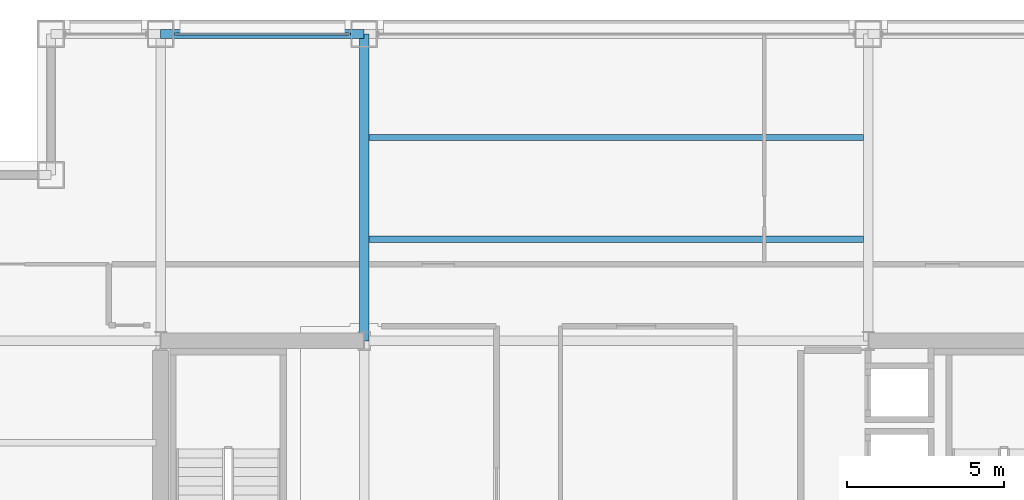
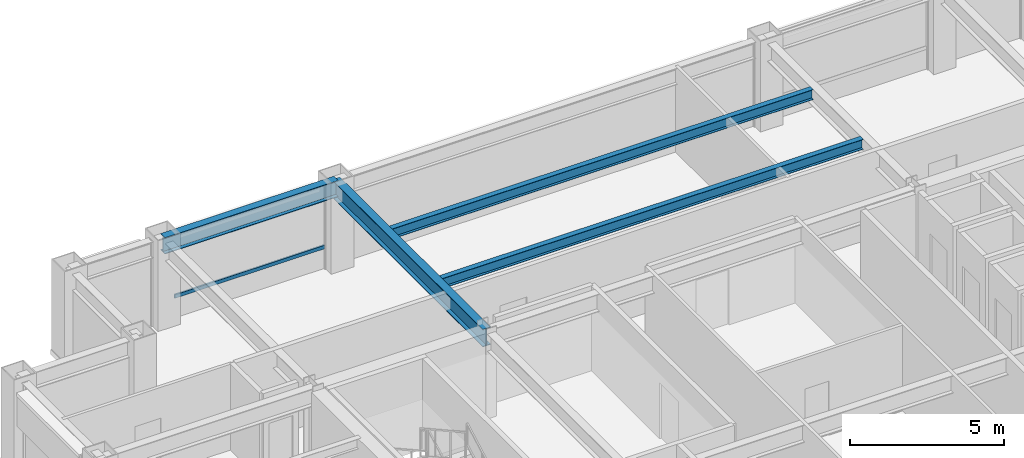
# One storey, part 18 of 29: 4 beams, 1 member, 1 element without a shape of its own.
"""IFC4 building model written with IfcOpenShell, lengths in metres."""

import ifcopenshell
import ifcopenshell.guid

model = None  # the IFC model being written
_history = None  # IfcOwnerHistory: only IFC2X3 demands one
_inside = {}  # id of a spatial element -> (the spatial element, [elements in it])
_under = {}  # id of a project, library or spatial element -> (it, [spatial elements below it])
_declared = {}  # id of a project -> (the project, [libraries it declares])
_typed = {}  # id of a type object -> (the type object, [elements of that type])
_made_of = {}  # id of a material, layer set ... -> (it, [elements and type objects made of it])


def new_model(schema):
    """Start an empty IFC model of exactly this schema.

    Asked for "IFC4X3", IfcOpenShell would pick the latest addendum, in which some entities
    have other attributes; the version numbers below select the first issue.
    IFC2X3 requires an IfcOwnerHistory on every rooted entity: one is made here for all.
    """
    global model, _history
    if schema == "IFC4X3":
        model = ifcopenshell.file(schema_version=(4, 3, 0, 0))
    else:
        model = ifcopenshell.file(schema=schema)
    _inside.clear()
    _under.clear()
    _declared.clear()
    _typed.clear()
    _made_of.clear()
    _history = None
    if model.schema == "IFC2X3":
        org = make("IfcOrganization", Name="unknown")
        user = make(
            "IfcPersonAndOrganization",
            ThePerson=make("IfcPerson", FamilyName="unknown"),
            TheOrganization=org,
        )
        app = make(
            "IfcApplication",
            ApplicationDeveloper=org,
            Version="unknown",
            ApplicationFullName="unknown",
            ApplicationIdentifier="unknown",
        )
        _history = make(
            "IfcOwnerHistory",
            OwningUser=user,
            OwningApplication=app,
            ChangeAction="ADDED",
            CreationDate=0,
        )
    return model


def make(cls, **values):
    """One entity of the class cls with the attributes given. An attribute that is None is left unset."""
    return model.create_entity(
        cls, **{name: value for name, value in values.items() if value is not None}
    )


def rooted(cls, **values):
    """An entity with a GlobalId (a new one), such as an element, a storey or a relation."""
    return make(cls, GlobalId=ifcopenshell.guid.new(), OwnerHistory=_history, **values)


def si_unit(unit_type, name, prefix=None):
    """IfcSIUnit, for example si_unit("LENGTHUNIT", "METRE", prefix="MILLI")."""
    return make("IfcSIUnit", UnitType=unit_type, Prefix=prefix, Name=name)


def assignment(units):
    """IfcUnitAssignment: the units of a project."""
    return None if units is None else make("IfcUnitAssignment", Units=units)


def point(xyz):
    """IfcCartesianPoint."""
    return None if xyz is None else make("IfcCartesianPoint", Coordinates=xyz)


def direction(xyz):
    """IfcDirection."""
    return None if xyz is None else make("IfcDirection", DirectionRatios=xyz)


def frame(location, z_axis=None, x_axis=None):
    """IfcAxis2Placement3D, a coordinate frame: its origin and axes. An axis left out is left unset."""
    return make(
        "IfcAxis2Placement3D",
        Location=point(location),
        Axis=direction(z_axis),
        RefDirection=direction(x_axis),
    )


def frame_2d(location, x_axis=None):
    """IfcAxis2Placement2D, a coordinate frame in the plane: its origin and x axis."""
    return make(
        "IfcAxis2Placement2D", Location=point(location), RefDirection=direction(x_axis)
    )


def origin():
    """The frame at (0, 0, 0) with its axes left unset."""
    return frame((0.0, 0.0, 0.0))


def origin_2d():
    """The frame at (0, 0) in the plane with its x axis left unset."""
    return frame_2d((0.0, 0.0))


def place(relative_to, where):
    """IfcLocalPlacement: puts the frame where relative to a parent placement (None: the world)."""
    return make(
        "IfcLocalPlacement", PlacementRelTo=relative_to, RelativePlacement=where
    )


def context(
    kind, dimensions, precision=None, world=None, true_north=None, identifier=None
):
    """IfcGeometricRepresentationContext, for example the 3D "Model" context."""
    return make(
        "IfcGeometricRepresentationContext",
        ContextIdentifier=identifier,
        ContextType=kind,
        CoordinateSpaceDimension=dimensions,
        Precision=precision,
        WorldCoordinateSystem=world,
        TrueNorth=true_north,
    )


def subcontext(parent, identifier, kind, view, scale=None):
    """IfcGeometricRepresentationSubContext, for example "Body" below "Model"."""
    return make(
        "IfcGeometricRepresentationSubContext",
        ContextIdentifier=identifier,
        ContextType=kind,
        ParentContext=parent,
        TargetScale=scale,
        TargetView=view,
    )


def project(units=None, contexts=None):
    """IfcProject with its units and contexts."""
    return rooted(
        "IfcProject",
        Name="project",
        RepresentationContexts=contexts,
        UnitsInContext=assignment(units),
    )


def spatial(cls, under=None, at=None, **own):
    """A site, building, storey or space (cls), placed at a placement, below another one or the project."""
    s = rooted(cls, ObjectPlacement=at, **own)
    if under is not None:
        _under.setdefault(under.id(), (under, []))[1].append(s)
    return s


def profile(cls, at=None, kind="AREA", **sizes):
    """A parametric profile (cls). Its sizes go by their IFC names, for example OverallWidth=200.0."""
    return make(cls, ProfileType=kind, Position=at, **sizes)


def hollow_rectangle(**sizes):
    """IfcRectangleHollowProfileDef."""
    return profile("IfcRectangleHollowProfileDef", **sizes)


def i_section(**sizes):
    """IfcIShapeProfileDef."""
    return profile("IfcIShapeProfileDef", **sizes)


def extrude(swept, where, along, depth):
    """IfcExtrudedAreaSolid: the profile swept, set in the frame where, extruded along a direction by depth."""
    return make(
        "IfcExtrudedAreaSolid",
        SweptArea=swept,
        Position=where,
        ExtrudedDirection=direction(along),
        Depth=depth,
    )


def shape(context_of_items, identifier, shape_type, items):
    """IfcShapeRepresentation: the items that make up one representation, for example the "Body"."""
    return make(
        "IfcShapeRepresentation",
        ContextOfItems=context_of_items,
        RepresentationIdentifier=identifier,
        RepresentationType=shape_type,
        Items=items,
    )


def material(Name=None, Category=None):
    """IfcMaterial."""
    return make("IfcMaterial", Name=Name, Category=Category)


def layer(
    of_material, thickness, ventilated=None, Name=None, Category=None, Priority=None
):
    """IfcMaterialLayer: one layer of a wall or slab, of a material (None: an air gap)."""
    return make(
        "IfcMaterialLayer",
        Material=of_material,
        LayerThickness=thickness,
        IsVentilated=ventilated,
        Name=Name,
        Category=Category,
        Priority=Priority,
    )


def layer_set(layers, Name=None):
    """IfcMaterialLayerSet."""
    return make("IfcMaterialLayerSet", MaterialLayers=layers, LayerSetName=Name)


def material_profile(
    of_material, cross_section, Name=None, Category=None, Priority=None
):
    """IfcMaterialProfile: a cross section and its material."""
    return make(
        "IfcMaterialProfile",
        Name=Name,
        Material=of_material,
        Profile=cross_section,
        Priority=Priority,
        Category=Category,
    )


def profile_set(profiles, Name=None, composite=None):
    """IfcMaterialProfileSet."""
    return make(
        "IfcMaterialProfileSet",
        Name=Name,
        MaterialProfiles=profiles,
        CompositeProfile=composite,
    )


def made_of(thing, what):
    """Note that an element or type object is made of a material, layer set ...; save() writes the relation."""
    if what is not None:
        _made_of.setdefault(what.id(), (what, []))[1].append(thing)
    return thing


def type_object(cls, material=None, **own):
    """A type object (cls), such as IfcWallType, which elements share."""
    return made_of(rooted(cls, **own), material)


def element(
    cls,
    number,
    at=None,
    inside=None,
    cuts=None,
    type_object=None,
    material=None,
    context=None,
    identifier="Body",
    shape_type=None,
    held_by="IfcProductDefinitionShape",
    body=None,
    shapes=None,
    **own,
):
    """One element of the class cls, such as IfcWall. Its Tag is "e" and its number.

    at: its placement. inside: the storey or other place that contains it. cuts: it is an
    opening in that element (IfcRelVoidsElement). A single representation is given by context,
    identifier, shape_type and body (its items); several are given by shapes. held_by: the class
    of the entity that holds the representations. save() writes the other relations.
    """
    e = rooted(cls, Tag="e%d" % number, ObjectPlacement=at, **own)
    if body is not None:
        shapes = [shape(context, identifier, shape_type, body)]
    if shapes is not None:
        e.Representation = make(held_by, Representations=shapes)
    if inside is not None:
        _inside.setdefault(inside.id(), (inside, []))[1].append(e)
    if cuts is not None:
        rooted(
            "IfcRelVoidsElement", RelatingBuildingElement=cuts, RelatedOpeningElement=e
        )
    if type_object is not None:
        _typed.setdefault(type_object.id(), (type_object, []))[1].append(e)
    return made_of(e, material)


def aggregate(whole, parts):
    """IfcRelAggregates: a whole, such as a stair, and the parts it consists of."""
    return rooted("IfcRelAggregates", RelatingObject=whole, RelatedObjects=parts)


def save(model, path):
    """Write the relations noted so far, then the file.

    IfcRelAggregates (storeys below a building ...), IfcRelContainedInSpatialStructure (elements
    in a storey), IfcRelDefinesByType, IfcRelAssociatesMaterial and IfcRelDeclares: one each for
    every whole, place, type object, material and project.
    """
    for whole, parts in _under.values():
        aggregate(whole, parts)
    for where, things in _inside.values():
        rooted(
            "IfcRelContainedInSpatialStructure",
            RelatedElements=things,
            RelatingStructure=where,
        )
    for kind, things in _typed.values():
        rooted("IfcRelDefinesByType", RelatedObjects=things, RelatingType=kind)
    for what, things in _made_of.values():
        rooted("IfcRelAssociatesMaterial", RelatedObjects=things, RelatingMaterial=what)
    for by, libraries in _declared.values():
        rooted("IfcRelDeclares", RelatingContext=by, RelatedDefinitions=libraries)
    model.write(path)


model = new_model("IFC4")

# Units and contexts
model_context = context("Model", 3, precision=1e-05, world=origin(), true_north=direction((0.0, 1.0)))
body_context = subcontext(model_context, "Body", "Model", "MODEL_VIEW")
ifc_project = project(units=[si_unit("LENGTHUNIT", "METRE"), si_unit("AREAUNIT", "SQUARE_METRE"), si_unit("VOLUMEUNIT", "CUBIC_METRE"), si_unit("PLANEANGLEUNIT", "RADIAN"), si_unit("MASSUNIT", "GRAM", prefix="KILO")], contexts=[model_context])

# Site, building, storey
site_placement = place(None, origin())
site = spatial("IfcSite", under=ifc_project, at=site_placement, CompositionType="ELEMENT")
building_placement = place(site_placement, origin())
building = spatial("IfcBuilding", under=site, at=building_placement, Name="Brelmoor Portico Tower", CompositionType="ELEMENT")
storey_placement = place(building_placement, frame((0.0, 0.0, 95.39990234375)))
storey = spatial("IfcBuildingStorey", under=building, at=storey_placement, Name="L24", CompositionType="ELEMENT", Elevation=95.39990234375)

# Beams
ifc_material_1 = material(Name="Steel Q355B", Category="steel")
ifc_material_profile_1 = material_profile(ifc_material_1, i_section(OverallWidth=0.199951171875, OverallDepth=0.39990234375, WebThickness=0.008056640625, FlangeThickness=0.012939453125, at=origin_2d()), Name="HN 400x200x8x13")
ifc_profile_set_1 = profile_set([ifc_material_profile_1], Name="Steel Q355B")
beam_type_1 = type_object("IfcBeamType", Name="BM-JS-400", PredefinedType="JOIST", material=ifc_profile_set_1)
for number, where, z_axis, x_axis, name in (
    (1, (-7.89990234375, 13.0, 3.2001953125), (1.0, 0.0, 0.0), (0.0, 1.0, 0.0), "L24 Secondary Composite Joist JS-C03"),
    (2, (-7.89990234375, 16.25, 3.2001953125), (1.0, 0.0, 0.0), (0.0, 1.0, 0.0), "L24 Secondary Composite Joist JS-C04"),
):
    element("IfcBeam", number, at=place(storey_placement, frame(where, z_axis=z_axis, x_axis=x_axis)), inside=storey, type_object=beam_type_1, Name=name, PredefinedType="JOIST", context=body_context, shape_type="SweptSolid", body=[
        extrude(i_section(OverallWidth=0.199951171875, OverallDepth=0.39990234375, WebThickness=0.008056640625, FlangeThickness=0.012939453125, at=origin_2d()), origin(), (0.0, 0.0, 1.0), 15.7998046875),
    ])
ifc_material_profile_2 = material_profile(ifc_material_1, i_section(OverallWidth=0.300048828125, OverallDepth=0.699951171875, WebThickness=0.012939453125, FlangeThickness=0.02392578125, at=origin_2d()), Name="HN 700x300x13x24")
ifc_profile_set_2 = profile_set([ifc_material_profile_2], Name="Steel Q355B")
beam_type_2 = type_object("IfcBeamType", Name="BM-PG-700", PredefinedType="BEAM", material=ifc_profile_set_2)
beam_1_placement = place(storey_placement, frame((-8.050048828125, 9.75, 3.050048828125), z_axis=(0.0, 1.0, 0.0), x_axis=(-1.0, 0.0, 0.0)))
element("IfcBeam", 3, at=beam_1_placement, inside=storey, type_object=beam_type_2, Name="L24 Primary Floor Girder PG-07", PredefinedType="BEAM", context=body_context, shape_type="SweptSolid", body=[
    extrude(i_section(OverallWidth=0.300048828125, OverallDepth=0.699951171875, WebThickness=0.012939453125, FlangeThickness=0.02392578125, at=origin_2d()), origin(), (0.0, 0.0, 1.0), 9.800048828125),
])
ifc_material_profile_3 = material_profile(ifc_material_1, i_section(OverallWidth=0.280029296875, OverallDepth=0.64990234375, WebThickness=0.012939453125, FlangeThickness=0.02197265625, at=origin_2d()), Name="HN 650x280x13x22")
ifc_profile_set_3 = profile_set([ifc_material_profile_3], Name="Steel Q355B")
beam_type_3 = type_object("IfcBeamType", Name="BM-SP-650", PredefinedType="SPANDREL", material=ifc_profile_set_3)
beam_2_placement = place(storey_placement, frame((-14.550048828125, 19.550048828125, 3.0751953125), z_axis=(1.0, 0.0, 0.0), x_axis=(0.0, 1.0, 0.0)))
element("IfcBeam", 4, at=beam_2_placement, inside=storey, type_object=beam_type_3, Name="L24 Perimeter Spandrel Beam SP-11", PredefinedType="SPANDREL", context=body_context, shape_type="SweptSolid", body=[
    extrude(i_section(OverallWidth=0.280029296875, OverallDepth=0.64990234375, WebThickness=0.012939453125, FlangeThickness=0.02197265625, at=origin_2d()), origin(), (0.0, 0.0, 1.0), 6.5),
])

# Curtain wall, member
ifc_material_2 = material(Name="Anodised Aluminium Alloy 6063-T6", Category="aluminium")
ifc_layer = layer(ifc_material_2, 0.179931640625)
ifc_layer_set = layer_set([ifc_layer], Name="Anodised Aluminium Alloy 6063-T6")
curtain_wall_type = type_object("IfcCurtainWallType", Name="CW-TOWER-Z2", PredefinedType="NOTDEFINED", material=ifc_layer_set)
curtain_wall_placement = place(storey_placement, origin())
curtain_wall = element("IfcCurtainWall", 5, at=curtain_wall_placement, inside=storey, type_object=curtain_wall_type, Name="L24 Curtain Wall CW-L24-02-2", PredefinedType="NOTDEFINED")
ifc_material_profile_4 = material_profile(ifc_material_2, hollow_rectangle(XDim=0.06494140625, YDim=0.139892578125, WallThickness=0.00390625, at=origin_2d()), Name="ALU TRANSOM 65x140")
ifc_profile_set_4 = profile_set([ifc_material_profile_4], Name="Anodised Aluminium Alloy 6063-T6")
member_type = type_object("IfcMemberType", Name="MB-CW-TRAN-140", PredefinedType="USERDEFINED", material=ifc_profile_set_4)
member_placement = place(storey_placement, frame((-14.114990234375, 19.550048828125, 0.85009765625), z_axis=(1.0, 0.0, 0.0), x_axis=(0.0, 1.0, 0.0)))
member = element("IfcMember", 6, at=member_placement, type_object=member_type, Name="CW-L24-02-2 Transom 1-00", ObjectType="TRANSOM", PredefinedType="USERDEFINED", context=body_context, shape_type="SweptSolid", body=[
    extrude(hollow_rectangle(XDim=0.06494140625, YDim=0.139892578125, WallThickness=0.00390625, at=origin_2d()), origin(), (0.0, 0.0, 1.0), 5.6298828125),
])
aggregate(curtain_wall, [member])

save(model, "model.ifc")
